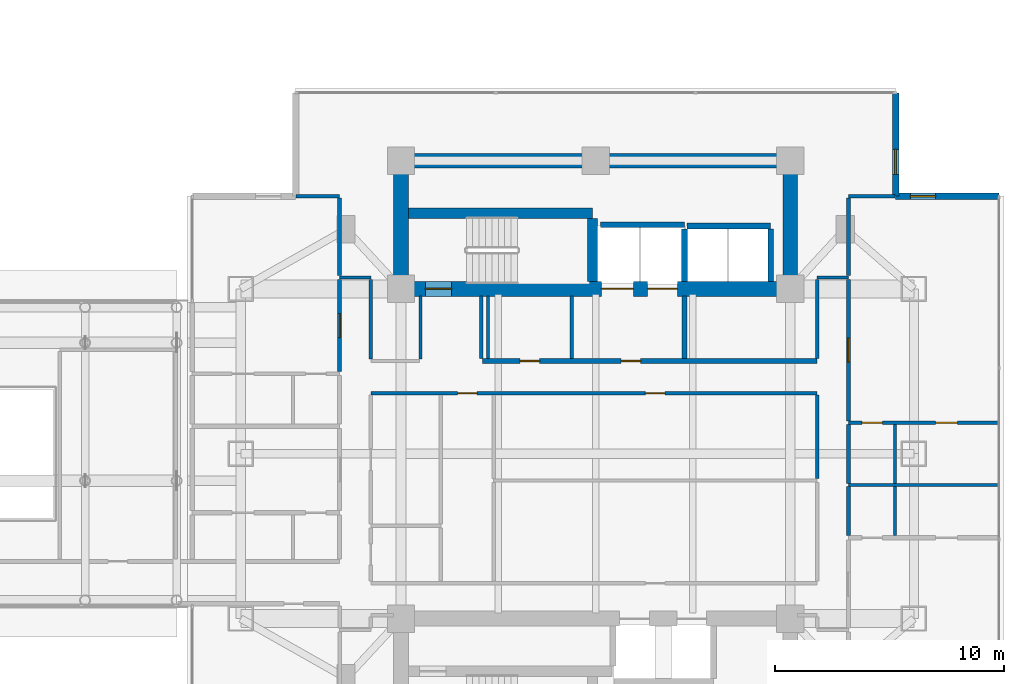
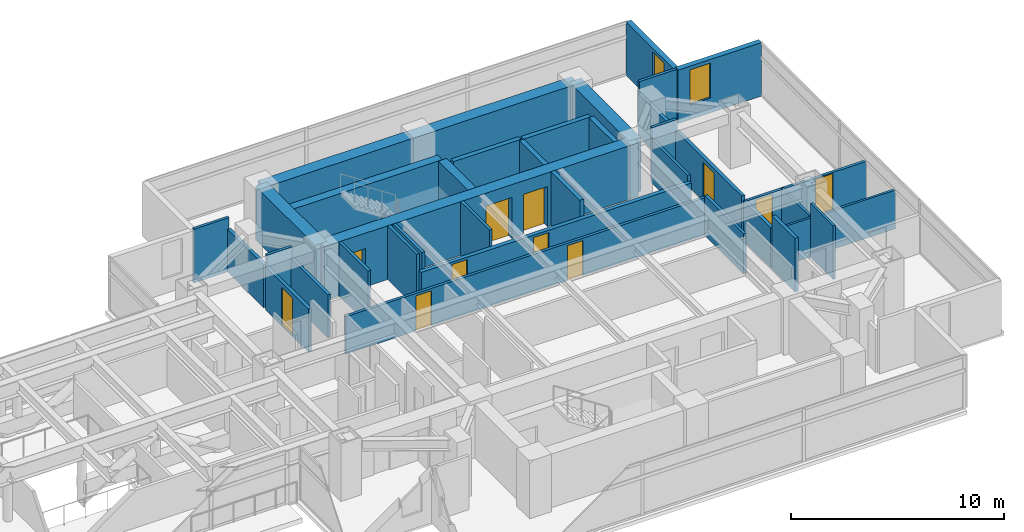
# One storey, part 20 of 27: 36 walls, 11 doors, 2 windows, 13 openings.
"""IFC4 building model written with IfcOpenShell, lengths in metres."""

from ifc_helpers import new_model, si_unit, direction, frame, frame_2d, origin, place, context, subcontext, project, spatial, rectangle, extrude, material, layer, layer_set, type_object, element, fill, save


model = new_model("IFC4")

# Units and contexts
model_context = context("Model", 3, precision=1e-05, world=origin(), true_north=direction((0.0, 1.0)))
body_context = subcontext(model_context, "Body", "Model", "MODEL_VIEW")
ifc_project = project(units=[si_unit("LENGTHUNIT", "METRE"), si_unit("AREAUNIT", "SQUARE_METRE"), si_unit("VOLUMEUNIT", "CUBIC_METRE"), si_unit("PLANEANGLEUNIT", "RADIAN"), si_unit("MASSUNIT", "GRAM", prefix="KILO")], contexts=[model_context])

# Site, building, storey
site_placement = place(None, origin())
site = spatial("IfcSite", under=ifc_project, at=site_placement, CompositionType="ELEMENT")
building_placement = place(site_placement, origin())
building = spatial("IfcBuilding", under=site, at=building_placement, Name="Mirazonda Arch Towers", CompositionType="ELEMENT")
storey_placement = place(building_placement, frame((0.0, 0.0, 95.0)))
storey = spatial("IfcBuildingStorey", under=building, at=storey_placement, Name="L26", CompositionType="ELEMENT", Elevation=95.0)

# Walls
ifc_material_1 = material(Name="Concrete C50/60", Category="concrete")
ifc_layer_1 = layer(ifc_material_1, 0.449951171875, Name="WALL-CORE-450")
ifc_layer_set_1 = layer_set([ifc_layer_1], Name="Concrete C50/60")
wall_type_1 = type_object("IfcWallType", Name="WALL-CORE-450", PredefinedType="SHEAR", material=ifc_layer_set_1)
wall_1_placement = place(storey_placement, frame((68.320068359375, 38.5, 0.0), z_axis=(0.0, 0.0, 1.0), x_axis=(1.0, 0.0, 0.0)))
element("IfcWall", 1, at=wall_1_placement, inside=storey, type_object=wall_type_1, Name="L26 Stair Core Shear Wall 061", PredefinedType="SHEAR", context=body_context, shape_type="SweptSolid", body=[
    extrude(rectangle(XDim=8.0400390625, YDim=0.449951171875, at=frame_2d((4.02001953125, 0.0))), origin(), (0.0, 0.0, 1.0), 3.080078125),
])
wall_2_placement = place(storey_placement, frame((76.360107421875, 35.52001953125, 0.0), z_axis=(0.0, 0.0, 1.0), x_axis=(0.0, 1.0, 0.0)))
element("IfcWall", 2, at=wall_2_placement, inside=storey, type_object=wall_type_1, Name="L26 Stair Core Shear Wall 161", PredefinedType="SHEAR", context=body_context, shape_type="SweptSolid", body=[
    extrude(rectangle(XDim=2.744873046875, YDim=0.449951171875, at=frame_2d((1.37255859375, 0.0))), origin(), (0.0, 0.0, 1.0), 3.080078125),
])
ifc_material_2 = material(Name="Concrete C60/75", Category="concrete")
ifc_layer_2 = layer(ifc_material_2, 0.64990234375, Name="WALL-CORE-650")
ifc_layer_set_2 = layer_set([ifc_layer_2], Name="Concrete C60/75")
wall_type_2 = type_object("IfcWallType", Name="WALL-CORE-650", PredefinedType="SHEAR", material=ifc_layer_set_2)
wall_3_placement = place(storey_placement, frame((68.0, 40.800048828125, 0.0), z_axis=(0.0, 0.0, 1.0), x_axis=(1.0, 0.0, 0.0)))
element("IfcWall", 3, at=wall_3_placement, inside=storey, type_object=wall_type_2, Name="L26 T2N-N Core Shear Wall", PredefinedType="SHEAR", context=body_context, shape_type="SweptSolid", body=[
    extrude(rectangle(XDim=17.0, YDim=0.64990234375, at=frame_2d((8.5, 0.0))), origin(), (0.0, 0.0, 1.0), 3.080078125),
])
for number, where, z_axis, x_axis, name in (
    (4, (68.0, 35.199951171875, 0.0), (0.0, 0.0, 1.0), (0.0, 1.0, 0.0), "L26 T2N-W Core Shear Wall"),
    (5, (85.0, 35.199951171875, 0.0), (0.0, 0.0, 1.0), (0.0, 1.0, 0.0), "L26 T2N-E Core Shear Wall"),
):
    element("IfcWall", number, at=place(storey_placement, frame(where, z_axis=z_axis, x_axis=x_axis)), inside=storey, type_object=wall_type_2, Name=name, PredefinedType="SHEAR", context=body_context, shape_type="SweptSolid", body=[
        extrude(rectangle(XDim=5.60009765625, YDim=0.64990234375, at=frame_2d((2.800048828125, 0.0))), origin(), (0.0, 0.0, 1.0), 3.080078125),
    ])

# Wall, openings, doors
wall_4_placement = place(storey_placement, frame((68.0, 35.199951171875, 0.0), z_axis=(0.0, 0.0, 1.0), x_axis=(1.0, 0.0, 0.0)))
wall_4 = element("IfcWall", 6, at=wall_4_placement, inside=storey, type_object=wall_type_2, Name="L26 T2N-S Core Shear Wall", PredefinedType="SHEAR", context=body_context, shape_type="SweptSolid", body=[
    extrude(rectangle(XDim=17.0, YDim=0.64990234375, at=frame_2d((8.5, 0.0))), origin(), (0.0, 0.0, 1.0), 3.080078125),
])
opening_1_placement = place(wall_4_placement, frame((1.06005859375, 0.0, 0.0)))
opening_1 = element("IfcOpeningElement", 7, at=opening_1_placement, cuts=wall_4, Name="Opening DR-135", PredefinedType="OPENING", context=body_context, shape_type="SweptSolid", body=[
    extrude(rectangle(XDim=1.14990234375, YDim=2.199951171875, at=frame_2d((0.574951171875, 1.10009765625))), frame((0.0, 0.3349609375, 0.0), z_axis=(0.0, -1.0, 0.0), x_axis=(1.0, 0.0, 0.0)), (0.0, 0.0, 1.0), 0.669921875),
])
opening_2_placement = place(wall_4_placement, frame((8.75, 0.0, 0.0)))
opening_2 = element("IfcOpeningElement", 8, at=opening_2_placement, cuts=wall_4, Name="Opening LD-112", PredefinedType="OPENING", context=body_context, shape_type="SweptSolid", body=[
    extrude(rectangle(XDim=1.39990234375, YDim=2.35009765625, at=frame_2d((0.699951171875, 1.175048828125))), frame((0.0, 0.3349609375, 0.0), z_axis=(0.0, -1.0, 0.0), x_axis=(1.0, 0.0, 0.0)), (0.0, 0.0, 1.0), 0.669921875),
])
opening_3_placement = place(wall_4_placement, frame((10.77001953125, 0.0, 0.0)))
opening_3 = element("IfcOpeningElement", 9, at=opening_3_placement, cuts=wall_4, Name="Opening LD-111", PredefinedType="OPENING", context=body_context, shape_type="SweptSolid", body=[
    extrude(rectangle(XDim=1.300048828125, YDim=2.300048828125, at=frame_2d((0.64990234375, 1.14990234375))), frame((0.0, 0.3349609375, 0.0), z_axis=(0.0, -1.0, 0.0), x_axis=(1.0, 0.0, 0.0)), (0.0, 0.0, 1.0), 0.669921875),
])
ifc_material_3 = material(Name="Architectural Brushed Steel S355", Category="steel")
door_type_1 = type_object("IfcDoorType", Name="DOOR-LIFT-FFL-1400", OperationType="NOTDEFINED", PredefinedType="DOOR", material=ifc_material_3)
door_1_placement = place(opening_2_placement, origin())
door_1 = element("IfcDoor", 10, at=door_1_placement, inside=storey, type_object=door_type_1, Name="L26 Lift Landing Sliding Door FFL-T2", OperationType="DOUBLE_DOOR_SLIDING", OverallHeight=2.35009765625, OverallWidth=1.39990234375, PredefinedType="DOOR", context=body_context, shape_type="SweptSolid", body=[
    extrude(rectangle(XDim=1.39990234375, YDim=2.35009765625, at=frame_2d((0.699951171875, 1.175048828125))), frame((0.0, 0.02490234375, 0.0), z_axis=(0.0, -1.0, 0.0), x_axis=(1.0, 0.0, 0.0)), (0.0, 0.0, 1.0), 0.050048828125),
])
fill(opening_2, door_1)
door_type_2 = type_object("IfcDoorType", Name="DOOR-LIFT-LAND-1300", OperationType="NOTDEFINED", PredefinedType="DOOR", material=ifc_material_3)
door_2_placement = place(opening_3_placement, origin())
door_2 = element("IfcDoor", 11, at=door_2_placement, inside=storey, type_object=door_type_2, Name="L26 Lift Landing Sliding Door SVL-T2", OperationType="DOUBLE_DOOR_SLIDING", OverallHeight=2.300048828125, OverallWidth=1.300048828125, PredefinedType="DOOR", context=body_context, shape_type="SweptSolid", body=[
    extrude(rectangle(XDim=1.300048828125, YDim=2.300048828125, at=frame_2d((0.64990234375, 1.14990234375))), frame((0.0, 0.02490234375, 0.0), z_axis=(0.0, -1.0, 0.0), x_axis=(1.0, 0.0, 0.0)), (0.0, 0.0, 1.0), 0.050048828125),
])
fill(opening_3, door_2)
door_type_3 = type_object("IfcDoorType", Name="DOOR-STAIR-FD90-1150", OperationType="NOTDEFINED", PredefinedType="DOOR", material=ifc_material_3)
door_3_placement = place(opening_1_placement, origin())
door_3 = element("IfcDoor", 12, at=door_3_placement, inside=storey, type_object=door_type_3, Name="L26 East Protected Stair North Door", OperationType="SINGLE_SWING_RIGHT", OverallHeight=2.199951171875, OverallWidth=1.14990234375, PredefinedType="DOOR", context=body_context, shape_type="SweptSolid", body=[
    extrude(rectangle(XDim=1.14990234375, YDim=2.199951171875, at=frame_2d((0.574951171875, 1.10009765625))), frame((0.0, 0.02490234375, 0.0), z_axis=(0.0, -1.0, 0.0), x_axis=(1.0, 0.0, 0.0)), (0.0, 0.0, 1.0), 0.050048828125),
])
fill(opening_1, door_3)

# Wall, opening, window
ifc_material_4 = material(Name="Precast Concrete C40/50", Category="concrete")
ifc_layer_3 = layer(ifc_material_4, 0.280029296875, Name="WALL-EXT-WALL-280")
ifc_layer_set_3 = layer_set([ifc_layer_3], Name="Precast Concrete C40/50")
wall_type_3 = type_object("IfcWallType", Name="WALL-EXT-WALL-280", PredefinedType="SOLIDWALL", material=ifc_layer_set_3)
wall_5_placement = place(storey_placement, frame((89.602294921875, 39.247802734375, 0.0), z_axis=(0.0, 0.0, 1.0), x_axis=(0.0, 1.0, 0.0)))
wall_5 = element("IfcWall", 13, at=wall_5_placement, inside=storey, type_object=wall_type_3, Name="L26 T2 Notched NE Corner Wall WL-L26-T2-CNE", PredefinedType="SOLIDWALL", context=body_context, shape_type="SweptSolid", body=[
    extrude(rectangle(XDim=4.516357421875, YDim=0.280029296875, at=frame_2d((2.25830078125, 0.0))), origin(), (0.0, 0.0, 1.0), 3.06005859375),
])
opening_4_placement = place(wall_5_placement, frame((0.949951171875, 0.0, 0.85009765625)))
opening_4 = element("IfcOpeningElement", 14, at=opening_4_placement, cuts=wall_5, Name="Opening WN-108", PredefinedType="OPENING", context=body_context, shape_type="SweptSolid", body=[
    extrude(rectangle(XDim=1.10009765625, YDim=2.0, at=frame_2d((0.550048828125, 1.0))), frame((0.0, 0.14990234375, 0.0), z_axis=(0.0, -1.0, 0.0), x_axis=(1.0, 0.0, 0.0)), (0.0, 0.0, 1.0), 0.300048828125),
])
ifc_material_5 = material(Name="Insulated Low-E Solar Glass", Category="glass")
window_type = type_object("IfcWindowType", Name="WIN-NOTCH-1100x2000", PartitioningType="SINGLE_PANEL", PredefinedType="WINDOW", material=ifc_material_5)
window_1_placement = place(opening_4_placement, origin())
window_1 = element("IfcWindow", 15, at=window_1_placement, inside=storey, type_object=window_type, Name="L26 Punched Facade Window WN-L26-T2-CNE", OverallHeight=2.0, OverallWidth=1.10009765625, PartitioningType="SINGLE_PANEL", PredefinedType="WINDOW", context=body_context, shape_type="SweptSolid", body=[
    extrude(rectangle(XDim=1.10009765625, YDim=2.0, at=frame_2d((0.550048828125, 1.0))), frame((0.0, 0.030029296875, 0.0), z_axis=(0.0, -1.0, 0.0), x_axis=(1.0, 0.0, 0.0)), (0.0, 0.0, 1.0), 0.06005859375),
])
fill(opening_4, window_1)

wall_6_placement = place(storey_placement, frame((94.118408203125, 39.247802734375, 0.0), z_axis=(0.0, 0.0, 1.0), x_axis=(-1.0, 0.0, 0.0)))
wall_6 = element("IfcWall", 16, at=wall_6_placement, inside=storey, type_object=wall_type_3, Name="L26 T2 Corner Notch Return Wall WL-L26-T2-CNE2", PredefinedType="SOLIDWALL", context=body_context, shape_type="SweptSolid", body=[
    extrude(rectangle(XDim=4.51611328125, YDim=0.280029296875, at=frame_2d((2.258056640625, 0.0))), origin(), (0.0, 0.0, 1.0), 3.06005859375),
])
opening_5_placement = place(wall_6_placement, frame((2.76611328125, 0.0, 0.85009765625)))
opening_5 = element("IfcOpeningElement", 17, at=opening_5_placement, cuts=wall_6, Name="Opening WN-108", PredefinedType="OPENING", context=body_context, shape_type="SweptSolid", body=[
    extrude(rectangle(XDim=1.10009765625, YDim=2.0, at=frame_2d((0.550048828125, 1.0))), frame((0.0, 0.14990234375, 0.0), z_axis=(0.0, -1.0, 0.0), x_axis=(1.0, 0.0, 0.0)), (0.0, 0.0, 1.0), 0.300048828125),
])
window_2_placement = place(opening_5_placement, origin())
window_2 = element("IfcWindow", 18, at=window_2_placement, inside=storey, type_object=window_type, Name="L26 Punched Facade Window WN-L26-T2-CNE2", OverallHeight=2.0, OverallWidth=1.10009765625, PartitioningType="SINGLE_PANEL", PredefinedType="WINDOW", context=body_context, shape_type="SweptSolid", body=[
    extrude(rectangle(XDim=1.10009765625, YDim=2.0, at=frame_2d((0.550048828125, 1.0))), frame((0.0, 0.030029296875, 0.0), z_axis=(0.0, -1.0, 0.0), x_axis=(1.0, 0.0, 0.0)), (0.0, 0.0, 1.0), 0.06005859375),
])
fill(opening_5, window_2)

# Wall, openings, doors
ifc_material_6 = material(Name="Concrete C40/50", Category="concrete")
ifc_layer_4 = layer(ifc_material_6, 0.219970703125, Name="WALL-FFL-220")
ifc_layer_set_4 = layer_set([ifc_layer_4], Name="Concrete C40/50")
wall_type_4 = type_object("IfcWallType", Name="WALL-FFL-220", PredefinedType="SOLIDWALL", material=ifc_layer_set_4)
wall_7_placement = place(storey_placement, frame((71.550048828125, 32.050048828125, 0.0), z_axis=(0.0, 0.0, 1.0), x_axis=(1.0, 0.0, 0.0)))
wall_7 = element("IfcWall", 19, at=wall_7_placement, inside=storey, type_object=wall_type_4, Name="L26 Interior Partition 047", PredefinedType="SOLIDWALL", context=body_context, shape_type="SweptSolid", body=[
    extrude(rectangle(XDim=14.6298828125, YDim=0.219970703125, at=frame_2d((7.31494140625, 0.0))), origin(), (0.0, 0.0, 1.0), 2.14501953125),
])
opening_6_placement = place(wall_7_placement, frame((6.06494140625, 0.0, 0.0)))
opening_6 = element("IfcOpeningElement", 20, at=opening_6_placement, cuts=wall_7, Name="Opening DR-128", PredefinedType="OPENING", context=body_context, shape_type="SweptSolid", body=[
    extrude(rectangle(XDim=0.85009765625, YDim=2.010009765625, at=frame_2d((0.425048828125, 1.0048828125))), frame((0.0, 0.119873046875, 0.0), z_axis=(0.0, -1.0, 0.0), x_axis=(1.0, 0.0, 0.0)), (0.0, 0.0, 1.0), 0.239990234375),
])
opening_7_placement = place(wall_7_placement, frame((1.64990234375, 0.0, 0.0)))
opening_7 = element("IfcOpeningElement", 21, at=opening_7_placement, cuts=wall_7, Name="Opening DR-128", PredefinedType="OPENING", context=body_context, shape_type="SweptSolid", body=[
    extrude(rectangle(XDim=0.85009765625, YDim=2.010009765625, at=frame_2d((0.425048828125, 1.0048828125))), frame((0.0, 0.119873046875, 0.0), z_axis=(0.0, -1.0, 0.0), x_axis=(1.0, 0.0, 0.0)), (0.0, 0.0, 1.0), 0.239990234375),
])
door_type_4 = type_object("IfcDoorType", Name="DOOR-RISER-FD60-850", OperationType="NOTDEFINED", PredefinedType="DOOR", material=ifc_material_3)
door_4_placement = place(opening_6_placement, origin())
door_4 = element("IfcDoor", 22, at=door_4_placement, inside=storey, type_object=door_type_4, Name="L26 East Firefighting Lift Lobby Door", OperationType="SINGLE_SWING_LEFT", OverallHeight=2.010009765625, OverallWidth=0.85009765625, PredefinedType="DOOR", context=body_context, shape_type="SweptSolid", body=[
    extrude(rectangle(XDim=0.85009765625, YDim=2.010009765625, at=frame_2d((0.425048828125, 1.0048828125))), frame((0.0, 0.02490234375, 0.0), z_axis=(0.0, -1.0, 0.0), x_axis=(1.0, 0.0, 0.0)), (0.0, 0.0, 1.0), 0.050048828125),
])
fill(opening_6, door_4)
door_5_placement = place(opening_7_placement, origin())
door_5 = element("IfcDoor", 23, at=door_5_placement, inside=storey, type_object=door_type_4, Name="L26 Tower 2 Housekeeping & Linen Room Door", OperationType="SINGLE_SWING_RIGHT", OverallHeight=2.010009765625, OverallWidth=0.85009765625, PredefinedType="DOOR", context=body_context, shape_type="SweptSolid", body=[
    extrude(rectangle(XDim=0.85009765625, YDim=2.010009765625, at=frame_2d((0.425048828125, 1.0048828125))), frame((0.0, 0.02490234375, 0.0), z_axis=(0.0, -1.0, 0.0), x_axis=(1.0, 0.0, 0.0)), (0.0, 0.0, 1.0), 0.050048828125),
])
fill(opening_7, door_5)

# Wall
wall_8_placement = place(storey_placement, frame((80.3798828125, 32.169921875, 0.0), z_axis=(0.0, 0.0, 1.0), x_axis=(0.0, 1.0, 0.0)))
element("IfcWall", 24, at=wall_8_placement, inside=storey, type_object=wall_type_4, Name="L26 Interior Partition 163", PredefinedType="SOLIDWALL", context=body_context, shape_type="SweptSolid", body=[
    extrude(rectangle(XDim=2.7099609375, YDim=0.219970703125, at=frame_2d((1.35498046875, 0.0))), origin(), (0.0, 0.0, 1.0), 3.080078125),
])

# Wall, openings, doors
ifc_material_7 = material(Name="Fire-Rated Gypsum Stud Partition")
ifc_layer_5 = layer(ifc_material_7, 0.14990234375, Name="WALL-PART-CORR-150")
ifc_layer_set_5 = layer_set([ifc_layer_5], Name="Fire-Rated Gypsum Stud Partition")
wall_type_5 = type_object("IfcWallType", Name="WALL-PART-CORR-150", PredefinedType="PARTITIONING", material=ifc_layer_set_5)
wall_9_placement = place(storey_placement, frame((87.5400390625, 29.35205078125, 0.0), z_axis=(0.0, 0.0, 1.0), x_axis=(1.0, 0.0, 0.0)))
wall_9 = element("IfcWall", 25, at=wall_9_placement, inside=storey, type_object=wall_type_5, Name="L26 Interior Partition 041", PredefinedType="PARTITIONING", context=body_context, shape_type="SweptSolid", body=[
    extrude(rectangle(XDim=6.577880859375, YDim=0.14990234375, at=frame_2d((3.2890625, 0.0))), origin(), (0.0, 0.0, 1.0), 2.216064453125),
])
opening_8_placement = place(wall_9_placement, frame((3.81396484375, 0.0, 0.0)))
opening_8 = element("IfcOpeningElement", 26, at=opening_8_placement, cuts=wall_9, Name="Opening DR-104", PredefinedType="OPENING", context=body_context, shape_type="SweptSolid", body=[
    extrude(rectangle(XDim=0.949951171875, YDim=2.14990234375, at=frame_2d((0.47509765625, 1.074951171875))), frame((0.0, 0.0849609375, 0.0), z_axis=(0.0, -1.0, 0.0), x_axis=(1.0, 0.0, 0.0)), (0.0, 0.0, 1.0), 0.169921875),
])
opening_9_placement = place(wall_9_placement, frame((0.590087890625, 0.0, 0.0)))
opening_9 = element("IfcOpeningElement", 27, at=opening_9_placement, cuts=wall_9, Name="Opening DR-120", PredefinedType="OPENING", context=body_context, shape_type="SweptSolid", body=[
    extrude(rectangle(XDim=0.89990234375, YDim=2.10009765625, at=frame_2d((0.449951171875, 1.050048828125))), frame((0.0, 0.0849609375, 0.0), z_axis=(0.0, -1.0, 0.0), x_axis=(1.0, 0.0, 0.0)), (0.0, 0.0, 1.0), 0.169921875),
])
door_type_5 = type_object("IfcDoorType", Name="DOOR-ROOM-950", OperationType="NOTDEFINED", PredefinedType="DOOR", material=ifc_material_3)
door_6_placement = place(opening_8_placement, origin())
door_6 = element("IfcDoor", 28, at=door_6_placement, inside=storey, type_object=door_type_5, Name="L26 Suite Bedroom 2 Door", OperationType="SINGLE_SWING_LEFT", OverallHeight=2.14990234375, OverallWidth=0.949951171875, PredefinedType="DOOR", context=body_context, shape_type="SweptSolid", body=[
    extrude(rectangle(XDim=0.949951171875, YDim=2.14990234375, at=frame_2d((0.47509765625, 1.074951171875))), frame((0.0, 0.02490234375, 0.0), z_axis=(0.0, -1.0, 0.0), x_axis=(1.0, 0.0, 0.0)), (0.0, 0.0, 1.0), 0.050048828125),
])
fill(opening_8, door_6)
door_type_6 = type_object("IfcDoorType", Name="DOOR-WC-900", OperationType="NOTDEFINED", PredefinedType="DOOR", material=ifc_material_3)
door_7_placement = place(opening_9_placement, origin())
door_7 = element("IfcDoor", 29, at=door_7_placement, inside=storey, type_object=door_type_6, Name="L26 Suite En-Suite Bathroom 2 Door", OperationType="SINGLE_SWING_RIGHT", OverallHeight=2.10009765625, OverallWidth=0.89990234375, PredefinedType="DOOR", context=body_context, shape_type="SweptSolid", body=[
    extrude(rectangle(XDim=0.89990234375, YDim=2.10009765625, at=frame_2d((0.449951171875, 1.050048828125))), frame((0.0, 0.02490234375, 0.0), z_axis=(0.0, -1.0, 0.0), x_axis=(1.0, 0.0, 0.0)), (0.0, 0.0, 1.0), 0.050048828125),
])
fill(opening_9, door_7)

wall_10_placement = place(storey_placement, frame((66.679931640625, 30.64990234375, 0.0), z_axis=(0.0, 0.0, 1.0), x_axis=(1.0, 0.0, 0.0)))
wall_10 = element("IfcWall", 30, at=wall_10_placement, inside=storey, type_object=wall_type_5, Name="L26 Interior Partition 043", PredefinedType="PARTITIONING", context=body_context, shape_type="SweptSolid", body=[
    extrude(rectangle(XDim=19.5, YDim=0.14990234375, at=frame_2d((9.75, 0.0))), origin(), (0.0, 0.0, 1.0), 2.14501953125),
])
opening_10_placement = place(wall_10_placement, frame((3.794921875, 0.0, 0.0)))
opening_10 = element("IfcOpeningElement", 31, at=opening_10_placement, cuts=wall_10, Name="Opening DR-128", PredefinedType="OPENING", context=body_context, shape_type="SweptSolid", body=[
    extrude(rectangle(XDim=0.85009765625, YDim=2.010009765625, at=frame_2d((0.425048828125, 1.0048828125))), frame((0.0, 0.0849609375, 0.0), z_axis=(0.0, -1.0, 0.0), x_axis=(1.0, 0.0, 0.0)), (0.0, 0.0, 1.0), 0.169921875),
])
opening_11_placement = place(wall_10_placement, frame((11.989990234375, 0.0, 0.0)))
opening_11 = element("IfcOpeningElement", 32, at=opening_11_placement, cuts=wall_10, Name="Opening DR-128", PredefinedType="OPENING", context=body_context, shape_type="SweptSolid", body=[
    extrude(rectangle(XDim=0.85009765625, YDim=2.010009765625, at=frame_2d((0.425048828125, 1.0048828125))), frame((0.0, 0.0849609375, 0.0), z_axis=(0.0, -1.0, 0.0), x_axis=(1.0, 0.0, 0.0)), (0.0, 0.0, 1.0), 0.169921875),
])
door_8_placement = place(opening_10_placement, origin())
door_8 = element("IfcDoor", 33, at=door_8_placement, inside=storey, type_object=door_type_4, Name="L26 L26 East Courtyard Study Door", OperationType="SINGLE_SWING_RIGHT", OverallHeight=2.010009765625, OverallWidth=0.85009765625, PredefinedType="DOOR", context=body_context, shape_type="SweptSolid", body=[
    extrude(rectangle(XDim=0.85009765625, YDim=2.010009765625, at=frame_2d((0.425048828125, 1.0048828125))), frame((0.0, 0.02490234375, 0.0), z_axis=(0.0, -1.0, 0.0), x_axis=(1.0, 0.0, 0.0)), (0.0, 0.0, 1.0), 0.050048828125),
])
fill(opening_10, door_8)
door_9_placement = place(opening_11_placement, origin())
door_9 = element("IfcDoor", 34, at=door_9_placement, inside=storey, type_object=door_type_4, Name="L26 Concierge Salon Door", OperationType="SINGLE_SWING_RIGHT", OverallHeight=2.010009765625, OverallWidth=0.85009765625, PredefinedType="DOOR", context=body_context, shape_type="SweptSolid", body=[
    extrude(rectangle(XDim=0.85009765625, YDim=2.010009765625, at=frame_2d((0.425048828125, 1.0048828125))), frame((0.0, 0.02490234375, 0.0), z_axis=(0.0, -1.0, 0.0), x_axis=(1.0, 0.0, 0.0)), (0.0, 0.0, 1.0), 0.050048828125),
])
fill(opening_11, door_9)

# Walls
wall_11_placement = place(storey_placement, frame((65.320068359375, 35.699951171875, 0.0), z_axis=(0.0, 0.0, 1.0), x_axis=(1.0, 0.0, 0.0)))
element("IfcWall", 35, at=wall_11_placement, inside=storey, type_object=wall_type_5, Name="L26 Interior Partition 057", PredefinedType="PARTITIONING", context=body_context, shape_type="SweptSolid", body=[
    extrude(rectangle(XDim=1.35986328125, YDim=0.14990234375, at=frame_2d((0.679931640625, 0.0))), origin(), (0.0, 0.0, 1.0), 3.080078125),
])
wall_12_placement = place(storey_placement, frame((86.179931640625, 35.699951171875, 0.0), z_axis=(0.0, 0.0, 1.0), x_axis=(1.0, 0.0, 0.0)))
element("IfcWall", 36, at=wall_12_placement, inside=storey, type_object=wall_type_5, Name="L26 Interior Partition 058", PredefinedType="PARTITIONING", context=body_context, shape_type="SweptSolid", body=[
    extrude(rectangle(XDim=1.360107421875, YDim=0.14990234375, at=frame_2d((0.68017578125, 0.0))), origin(), (0.0, 0.0, 1.0), 3.080078125),
])
wall_13_placement = place(storey_placement, frame((63.417724609375, 39.248046875, 0.0), z_axis=(0.0, 0.0, 1.0), x_axis=(1.0, 0.0, 0.0)))
element("IfcWall", 37, at=wall_13_placement, inside=storey, type_object=wall_type_5, Name="L26 Interior Partition 062", PredefinedType="PARTITIONING", context=body_context, shape_type="SweptSolid", body=[
    extrude(rectangle(XDim=1.90234375, YDim=0.14990234375, at=frame_2d((0.951171875, 0.0))), origin(), (0.0, 0.0, 1.0), 3.080078125),
])
wall_14_placement = place(storey_placement, frame((87.5400390625, 39.248046875, 0.0), z_axis=(0.0, 0.0, 1.0), x_axis=(1.0, 0.0, 0.0)))
element("IfcWall", 38, at=wall_14_placement, inside=storey, type_object=wall_type_5, Name="L26 Interior Partition 063", PredefinedType="PARTITIONING", context=body_context, shape_type="SweptSolid", body=[
    extrude(rectangle(XDim=2.042236328125, YDim=0.14990234375, at=frame_2d((1.02099609375, 0.0))), origin(), (0.0, 0.0, 1.0), 3.080078125),
])
wall_15_placement = place(storey_placement, frame((66.679931640625, 32.135009765625, 0.0), z_axis=(0.0, 0.0, 1.0), x_axis=(0.0, 1.0, 0.0)))
element("IfcWall", 39, at=wall_15_placement, inside=storey, type_object=wall_type_5, Name="L26 Interior Partition 151", PredefinedType="PARTITIONING", context=body_context, shape_type="SweptSolid", body=[
    extrude(rectangle(XDim=3.47998046875, YDim=0.14990234375, at=frame_2d((1.739990234375, 0.0))), origin(), (0.0, 0.0, 1.0), 2.471923828125),
])
wall_16_placement = place(storey_placement, frame((68.85009765625, 32.135009765625, 0.0), z_axis=(0.0, 0.0, 1.0), x_axis=(0.0, 1.0, 0.0)))
element("IfcWall", 40, at=wall_16_placement, inside=storey, type_object=wall_type_5, Name="L26 Interior Partition 152", PredefinedType="PARTITIONING", context=body_context, shape_type="SweptSolid", body=[
    extrude(rectangle(XDim=2.744873046875, YDim=0.14990234375, at=frame_2d((1.37255859375, 0.0))), origin(), (0.0, 0.0, 1.0), 3.080078125),
])
for number, where, z_axis, x_axis, name in (
    (41, (71.5, 32.169921875, 0.0), (0.0, 0.0, 1.0), (0.0, 1.0, 0.0), "L26 Interior Partition 155"),
    (42, (71.800048828125, 32.169921875, 0.0), (0.0, 0.0, 1.0), (0.0, 1.0, 0.0), "L26 Interior Partition 156"),
    (43, (75.449951171875, 32.169921875, 0.0), (0.0, 0.0, 1.0), (0.0, 1.0, 0.0), "L26 Interior Partition 159"),
):
    element("IfcWall", number, at=place(storey_placement, frame(where, z_axis=z_axis, x_axis=x_axis)), inside=storey, type_object=wall_type_5, Name=name, PredefinedType="PARTITIONING", context=body_context, shape_type="SweptSolid", body=[
        extrude(rectangle(XDim=2.7099609375, YDim=0.14990234375, at=frame_2d((1.35498046875, 0.0))), origin(), (0.0, 0.0, 1.0), 3.080078125),
    ])
wall_17_placement = place(storey_placement, frame((86.179931640625, 26.9169921875, 0.0), z_axis=(0.0, 0.0, 1.0), x_axis=(0.0, 1.0, 0.0)))
element("IfcWall", 44, at=wall_17_placement, inside=storey, type_object=wall_type_5, Name="L26 Interior Partition 169", PredefinedType="PARTITIONING", context=body_context, shape_type="SweptSolid", body=[
    extrude(rectangle(XDim=3.64794921875, YDim=0.14990234375, at=frame_2d((1.823974609375, 0.0))), origin(), (0.0, 0.0, 1.0), 2.299072265625),
])
wall_18_placement = place(storey_placement, frame((86.179931640625, 32.169921875, 0.0), z_axis=(0.0, 0.0, 1.0), x_axis=(0.0, 1.0, 0.0)))
element("IfcWall", 45, at=wall_18_placement, inside=storey, type_object=wall_type_5, Name="L26 Interior Partition 170", PredefinedType="PARTITIONING", context=body_context, shape_type="SweptSolid", body=[
    extrude(rectangle(XDim=3.445068359375, YDim=0.14990234375, at=frame_2d((1.72265625, 0.0))), origin(), (0.0, 0.0, 1.0), 2.471923828125),
])

# Wall, opening, door
ifc_material_8 = material(Name="Fire-Rated Gypsum Twin-Stud Assembly")
ifc_layer_6 = layer(ifc_material_8, 0.179931640625, Name="WALL-PART-DEMISE-180")
ifc_layer_set_6 = layer_set([ifc_layer_6], Name="Fire-Rated Gypsum Twin-Stud Assembly")
wall_type_6 = type_object("IfcWallType", Name="WALL-PART-DEMISE-180", PredefinedType="PARTITIONING", material=ifc_layer_set_6)
wall_19_placement = place(storey_placement, frame((65.320068359375, 31.5849609375, 0.0), z_axis=(0.0, 0.0, 1.0), x_axis=(0.0, 1.0, 0.0)))
wall_19 = element("IfcWall", 46, at=wall_19_placement, inside=storey, type_object=wall_type_6, Name="L26 Interior Partition 146", PredefinedType="PARTITIONING", context=body_context, shape_type="SweptSolid", body=[
    extrude(rectangle(XDim=4.030029296875, YDim=0.179931640625, at=frame_2d((2.01513671875, 0.0))), origin(), (0.0, 0.0, 1.0), 2.471923828125),
])
opening_12_placement = place(wall_19_placement, frame((1.489990234375, 0.0, 0.0)))
opening_12 = element("IfcOpeningElement", 47, at=opening_12_placement, cuts=wall_19, Name="Opening DR-121", PredefinedType="OPENING", context=body_context, shape_type="SweptSolid", body=[
    extrude(rectangle(XDim=1.050048828125, YDim=2.199951171875, at=frame_2d((0.52490234375, 1.10009765625))), frame((0.0, 0.099853515625, 0.0), z_axis=(0.0, -1.0, 0.0), x_axis=(1.0, 0.0, 0.0)), (0.0, 0.0, 1.0), 0.199951171875),
])
door_type_7 = type_object("IfcDoorType", Name="DOOR-SUITE-FD60-1050", OperationType="NOTDEFINED", PredefinedType="DOOR", material=ifc_material_3)
door_10_placement = place(opening_12_placement, origin())
door_10 = element("IfcDoor", 48, at=door_10_placement, inside=storey, type_object=door_type_7, Name="L26 Twin Hotel Guestroom 2 Door", OperationType="SINGLE_SWING_RIGHT", OverallHeight=2.199951171875, OverallWidth=1.050048828125, PredefinedType="DOOR", context=body_context, shape_type="SweptSolid", body=[
    extrude(rectangle(XDim=1.050048828125, YDim=2.199951171875, at=frame_2d((0.52490234375, 1.10009765625))), frame((0.0, 0.02490234375, 0.0), z_axis=(0.0, -1.0, 0.0), x_axis=(1.0, 0.0, 0.0)), (0.0, 0.0, 1.0), 0.050048828125),
])
fill(opening_12, door_10)

# Walls
wall_20_placement = place(storey_placement, frame((65.320068359375, 35.784912109375, 0.0), z_axis=(0.0, 0.0, 1.0), x_axis=(0.0, 1.0, 0.0)))
element("IfcWall", 49, at=wall_20_placement, inside=storey, type_object=wall_type_6, Name="L26 Interior Partition 147", PredefinedType="PARTITIONING", context=body_context, shape_type="SweptSolid", body=[
    extrude(rectangle(XDim=3.378173828125, YDim=0.179931640625, at=frame_2d((1.68896484375, 0.0))), origin(), (0.0, 0.0, 1.0), 2.4560546875),
])
wall_21_placement = place(storey_placement, frame((87.5400390625, 24.431884765625, 0.0), z_axis=(0.0, 0.0, 1.0), x_axis=(0.0, 1.0, 0.0)))
element("IfcWall", 50, at=wall_21_placement, inside=storey, type_object=wall_type_6, Name="L26 Interior Partition 173", PredefinedType="PARTITIONING", context=body_context, shape_type="SweptSolid", body=[
    extrude(rectangle(XDim=2.127685546875, YDim=0.179931640625, at=frame_2d((1.06396484375, 0.0))), origin(), (0.0, 0.0, 1.0), 3.080078125),
])
wall_22_placement = place(storey_placement, frame((87.5400390625, 26.70458984375, 0.0), z_axis=(0.0, 0.0, 1.0), x_axis=(0.0, 1.0, 0.0)))
element("IfcWall", 51, at=wall_22_placement, inside=storey, type_object=wall_type_6, Name="L26 Interior Partition 174", PredefinedType="PARTITIONING", context=body_context, shape_type="SweptSolid", body=[
    extrude(rectangle(XDim=2.5625, YDim=0.179931640625, at=frame_2d((1.28125, 0.0))), origin(), (0.0, 0.0, 1.0), 2.299072265625),
])

# Wall, opening, door
wall_23_placement = place(storey_placement, frame((87.5400390625, 29.43701171875, 0.0), z_axis=(0.0, 0.0, 1.0), x_axis=(0.0, 1.0, 0.0)))
wall_23 = element("IfcWall", 52, at=wall_23_placement, inside=storey, type_object=wall_type_6, Name="L26 Interior Partition 175", PredefinedType="PARTITIONING", context=body_context, shape_type="SweptSolid", body=[
    extrude(rectangle(XDim=6.177978515625, YDim=0.179931640625, at=frame_2d((3.0888671875, 0.0))), origin(), (0.0, 0.0, 1.0), 2.471923828125),
])
opening_13_placement = place(wall_23_placement, frame((2.56396484375, 0.0, 0.0)))
opening_13 = element("IfcOpeningElement", 53, at=opening_13_placement, cuts=wall_23, Name="Opening DR-121", PredefinedType="OPENING", context=body_context, shape_type="SweptSolid", body=[
    extrude(rectangle(XDim=1.050048828125, YDim=2.199951171875, at=frame_2d((0.52490234375, 1.10009765625))), frame((0.0, 0.099853515625, 0.0), z_axis=(0.0, -1.0, 0.0), x_axis=(1.0, 0.0, 0.0)), (0.0, 0.0, 1.0), 0.199951171875),
])
door_11_placement = place(opening_13_placement, origin())
door_11 = element("IfcDoor", 54, at=door_11_placement, inside=storey, type_object=door_type_7, Name="L26 Deluxe Suite Living Room 2 Door", OperationType="SINGLE_SWING_RIGHT", OverallHeight=2.199951171875, OverallWidth=1.050048828125, PredefinedType="DOOR", context=body_context, shape_type="SweptSolid", body=[
    extrude(rectangle(XDim=1.050048828125, YDim=2.199951171875, at=frame_2d((0.52490234375, 1.10009765625))), frame((0.0, 0.02490234375, 0.0), z_axis=(0.0, -1.0, 0.0), x_axis=(1.0, 0.0, 0.0)), (0.0, 0.0, 1.0), 0.050048828125),
])
fill(opening_13, door_11)

# Walls
wall_24_placement = place(storey_placement, frame((87.5400390625, 35.784912109375, 0.0), z_axis=(0.0, 0.0, 1.0), x_axis=(0.0, 1.0, 0.0)))
element("IfcWall", 55, at=wall_24_placement, inside=storey, type_object=wall_type_6, Name="L26 Interior Partition 176", PredefinedType="PARTITIONING", context=body_context, shape_type="SweptSolid", body=[
    extrude(rectangle(XDim=3.378173828125, YDim=0.179931640625, at=frame_2d((1.68896484375, 0.0))), origin(), (0.0, 0.0, 1.0), 2.4560546875),
])
ifc_material_9 = material(Name="Acoustic Fire-Rated Gypsum Partition")
ifc_layer_7 = layer(ifc_material_9, 0.125, Name="WALL-PART-UNIT-125")
ifc_layer_set_7 = layer_set([ifc_layer_7], Name="Acoustic Fire-Rated Gypsum Partition")
wall_type_7 = type_object("IfcWallType", Name="WALL-PART-UNIT-125", PredefinedType="PARTITIONING", material=ifc_layer_set_7)
wall_25_placement = place(storey_placement, frame((87.5400390625, 26.632080078125, 0.0), z_axis=(0.0, 0.0, 1.0), x_axis=(1.0, 0.0, 0.0)))
element("IfcWall", 56, at=wall_25_placement, inside=storey, type_object=wall_type_7, Name="L26 Interior Partition 034", PredefinedType="PARTITIONING", context=body_context, shape_type="SweptSolid", body=[
    extrude(rectangle(XDim=6.577880859375, YDim=0.125, at=frame_2d((3.2890625, 0.0))), origin(), (0.0, 0.0, 1.0), 2.216064453125),
])
wall_26_placement = place(storey_placement, frame((89.580078125, 24.431884765625, 0.0), z_axis=(0.0, 0.0, 1.0), x_axis=(0.0, 1.0, 0.0)))
element("IfcWall", 57, at=wall_26_placement, inside=storey, type_object=wall_type_7, Name="L26 Interior Partition 177", PredefinedType="PARTITIONING", context=body_context, shape_type="SweptSolid", body=[
    extrude(rectangle(XDim=2.127685546875, YDim=0.125, at=frame_2d((1.06396484375, 0.0))), origin(), (0.0, 0.0, 1.0), 3.080078125),
])
wall_27_placement = place(storey_placement, frame((89.580078125, 26.70458984375, 0.0), z_axis=(0.0, 0.0, 1.0), x_axis=(0.0, 1.0, 0.0)))
element("IfcWall", 58, at=wall_27_placement, inside=storey, type_object=wall_type_7, Name="L26 Interior Partition 178", PredefinedType="PARTITIONING", context=body_context, shape_type="SweptSolid", body=[
    extrude(rectangle(XDim=2.5625, YDim=0.125, at=frame_2d((1.28125, 0.0))), origin(), (0.0, 0.0, 1.0), 2.299072265625),
])
ifc_layer_8 = layer(ifc_material_6, 0.25, Name="WALL-SHAFT-250")
ifc_layer_set_8 = layer_set([ifc_layer_8], Name="Concrete C40/50")
wall_type_8 = type_object("IfcWallType", Name="WALL-SHAFT-250", PredefinedType="SOLIDWALL", material=ifc_layer_set_8)
wall_28_placement = place(storey_placement, frame((80.5, 37.949951171875, 0.0), z_axis=(0.0, 0.0, 1.0), x_axis=(1.0, 0.0, 0.0)))
element("IfcWall", 59, at=wall_28_placement, inside=storey, type_object=wall_type_8, Name="L26 Interior Partition 059", PredefinedType="SOLIDWALL", context=body_context, shape_type="SweptSolid", body=[
    extrude(rectangle(XDim=3.64990234375, YDim=0.25, at=frame_2d((1.824951171875, 0.0))), origin(), (0.0, 0.0, 1.0), 3.080078125),
])
wall_29_placement = place(storey_placement, frame((76.719970703125, 38.0, 0.0), z_axis=(0.0, 0.0, 1.0), x_axis=(1.0, 0.0, 0.0)))
element("IfcWall", 60, at=wall_29_placement, inside=storey, type_object=wall_type_8, Name="L26 Interior Partition 060", PredefinedType="SOLIDWALL", context=body_context, shape_type="SweptSolid", body=[
    extrude(rectangle(XDim=3.659912109375, YDim=0.25, at=frame_2d((1.830078125, 0.0))), origin(), (0.0, 0.0, 1.0), 3.080078125),
])
for number, where, z_axis, x_axis, name in (
    (61, (80.3798828125, 35.52001953125, 0.0), (0.0, 0.0, 1.0), (0.0, 1.0, 0.0), "L26 Interior Partition 164"),
    (62, (84.14990234375, 35.52001953125, 0.0), (0.0, 0.0, 1.0), (0.0, 1.0, 0.0), "L26 Interior Partition 166"),
):
    element("IfcWall", number, at=place(storey_placement, frame(where, z_axis=z_axis, x_axis=x_axis)), inside=storey, type_object=wall_type_8, Name=name, PredefinedType="SOLIDWALL", context=body_context, shape_type="SweptSolid", body=[
        extrude(rectangle(XDim=2.294921875, YDim=0.25, at=frame_2d((1.1474609375, 0.0))), origin(), (0.0, 0.0, 1.0), 3.080078125),
    ])

save(model, "model.ifc")
